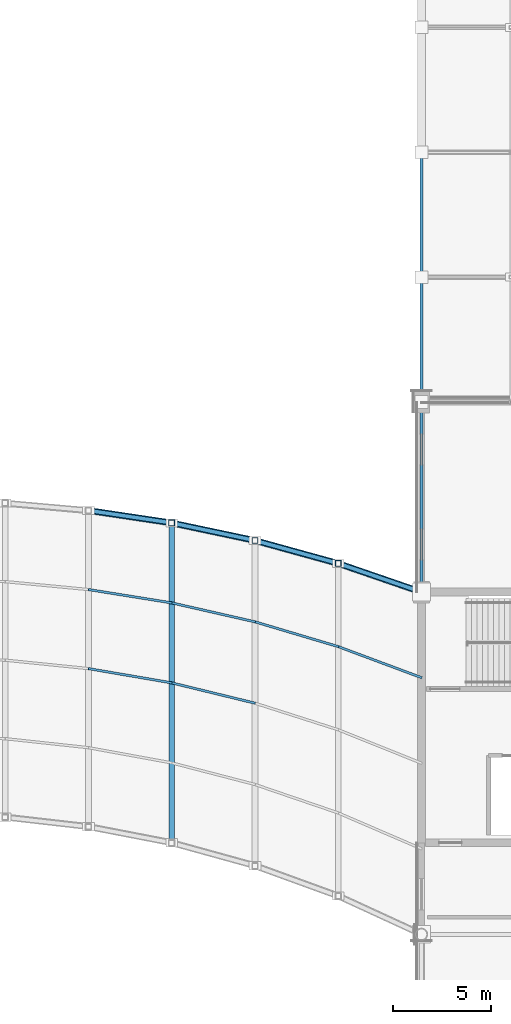
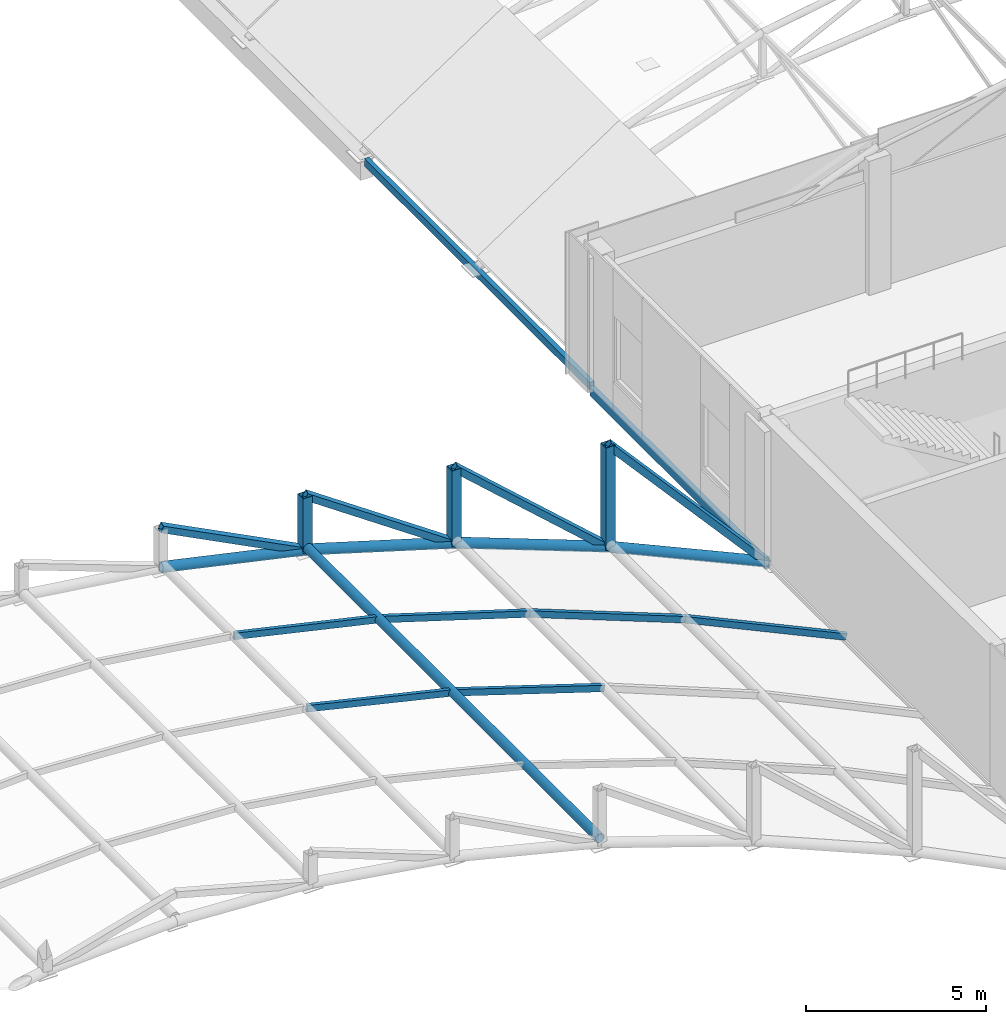
# One storey, part 34 of 101: 18 members, 2 beams.
"""IFC4 building model written with IfcOpenShell, lengths in metres."""

from ifc_helpers import new_model, si_unit, direction, frame, origin, origin_2d, place, context, subcontext, project, spatial, hollow_rectangle, hollow_circle, extrude, material, material_profile, profile_set, type_object, element, save


model = new_model("IFC4")

# Units and contexts
model_context = context("Model", 3, precision=1e-05, world=origin(), true_north=direction((0.0, 1.0)))
body_context = subcontext(model_context, "Body", "Model", "MODEL_VIEW")
ifc_project = project(units=[si_unit("LENGTHUNIT", "METRE"), si_unit("AREAUNIT", "SQUARE_METRE"), si_unit("VOLUMEUNIT", "CUBIC_METRE"), si_unit("PLANEANGLEUNIT", "RADIAN"), si_unit("MASSUNIT", "GRAM", prefix="KILO")], contexts=[model_context])

# Site, building, storey
site_placement = place(None, origin())
site = spatial("IfcSite", under=ifc_project, at=site_placement, CompositionType="ELEMENT")
building_placement = place(site_placement, origin())
building = spatial("IfcBuilding", under=site, at=building_placement, Name="Solvikara Media Centre", CompositionType="ELEMENT")
storey_placement = place(building_placement, frame((0.0, 0.0, 10.199951171875)))
storey = spatial("IfcBuildingStorey", under=building, at=storey_placement, Name="L02", CompositionType="ELEMENT", Elevation=10.199951171875)

# Beams
ifc_material = material(Name="Steel S355JR", Category="steel")
ifc_material_profile_1 = material_profile(ifc_material, hollow_rectangle(XDim=0.14990234375, YDim=0.300048828125, WallThickness=0.010009765625, at=origin_2d()), Name="RHS 300x150x10")
ifc_profile_set_1 = profile_set([ifc_material_profile_1], Name="Steel S355JR")
beam_type_1 = type_object("IfcBeamType", Name="BM-35", PredefinedType="BEAM", material=ifc_profile_set_1)
beam_1_placement = place(storey_placement, frame((127.5, 36.800048828125, -0.391845703125), z_axis=(0.0, 1.0, 0.0), x_axis=(-1.0, 0.0, 0.0)))
element("IfcBeam", 1, at=beam_1_placement, inside=storey, type_object=beam_type_1, Name="B-L02-Y0977", PredefinedType="BEAM", context=body_context, shape_type="SweptSolid", body=[
    extrude(hollow_rectangle(XDim=0.14990234375, YDim=0.300048828125, WallThickness=0.010009765625, at=origin_2d()), origin(), (0.0, 0.0, 1.0), 9.699951171875),
])
ifc_material_profile_2 = material_profile(ifc_material, hollow_rectangle(XDim=0.14990234375, YDim=0.25, WallThickness=0.008056640625, at=origin_2d()), Name="RHS 250x150x8")
ifc_profile_set_2 = profile_set([ifc_material_profile_2], Name="Steel S355JR")
beam_type_2 = type_object("IfcBeamType", Name="BM-36", PredefinedType="JOIST", material=ifc_profile_set_2)
beam_2_placement = place(storey_placement, frame((127.5, 46.5, -0.224853515625), z_axis=(0.0, 1.0, 0.0), x_axis=(-1.0, 0.0, 0.0)))
element("IfcBeam", 2, at=beam_2_placement, inside=storey, type_object=beam_type_2, Name="B-L02-Y0978", PredefinedType="JOIST", context=body_context, shape_type="SweptSolid", body=[
    extrude(hollow_rectangle(XDim=0.14990234375, YDim=0.25, WallThickness=0.008056640625, at=origin_2d()), origin(), (0.0, 0.0, 1.0), 12.5),
])

# Members
ifc_material_profile_3 = material_profile(ifc_material, hollow_circle(Radius=0.161865234375, WallThickness=0.012451171875, at=origin_2d()), Name="CHS 323.9x12.5")
ifc_profile_set_3 = profile_set([ifc_material_profile_3], Name="Steel S355JR")
member_type_1 = type_object("IfcMemberType", Name="MB-02", PredefinedType="CHORD", material=ifc_profile_set_3)
member_1_placement = place(storey_placement, frame((110.5, 40.964111328125, 2.944091796875), z_axis=(0.982232325207, -0.146759322028, -0.116967348929), x_axis=(0.147773675894, 0.989021203369, 0.0)))
element("IfcMember", 3, at=member_1_placement, inside=storey, type_object=member_type_1, Name="ARC-N-CH-08", PredefinedType="CHORD", context=body_context, shape_type="SweptSolid", body=[
    extrude(hollow_circle(Radius=0.161865234375, WallThickness=0.012451171875, at=origin_2d()), origin(), (0.0, 0.0, 1.0), 4.326904296875),
])
member_2_placement = place(storey_placement, frame((114.75, 40.3291015625, 2.43798828125), z_axis=(0.965577583547, -0.204064793765, -0.16129938034), x_axis=(0.206772369957, 0.978389077526, 0.0)))
element("IfcMember", 4, at=member_2_placement, inside=storey, type_object=member_type_1, Name="ARC-N-CH-09", PredefinedType="CHORD", context=body_context, shape_type="SweptSolid", body=[
    extrude(hollow_circle(Radius=0.161865234375, WallThickness=0.012451171875, at=origin_2d()), origin(), (0.0, 0.0, 1.0), 4.401611328125),
])
member_3_placement = place(storey_placement, frame((119.0, 39.430908203125, 1.72802734375), z_axis=(0.944042925109, -0.260089031987, -0.202821722191), x_axis=(0.265609545636, 0.964080686077, 0.0)))
element("IfcMember", 5, at=member_3_placement, inside=storey, type_object=member_type_1, Name="ARC-N-CH-10", PredefinedType="CHORD", context=body_context, shape_type="SweptSolid", body=[
    extrude(hollow_circle(Radius=0.161865234375, WallThickness=0.012451171875, at=origin_2d()), origin(), (0.0, 0.0, 1.0), 4.501953125),
])
member_4_placement = place(storey_placement, frame((123.25, 38.260009765625, 0.81494140625), z_axis=(0.917920374994, -0.3153242097, -0.240817000953), x_axis=(0.324885412119, 0.945753386984, 0.0)))
element("IfcMember", 6, at=member_4_placement, inside=storey, type_object=member_type_1, Name="ARC-N-CH-11", PredefinedType="CHORD", context=body_context, shape_type="SweptSolid", body=[
    extrude(hollow_circle(Radius=0.161865234375, WallThickness=0.012451171875, at=origin_2d()), origin(), (0.0, 0.0, 1.0), 4.630126953125),
])
ifc_material_profile_4 = material_profile(ifc_material, hollow_rectangle(XDim=0.300048828125, YDim=0.300048828125, WallThickness=0.012451171875, at=origin_2d()), Name="RHS 300x300x12.5")
ifc_profile_set_4 = profile_set([ifc_material_profile_4], Name="Steel S355JR")
member_type_2 = type_object("IfcMemberType", Name="MB-11", PredefinedType="CHORD", material=ifc_profile_set_4)
member_5_placement = place(storey_placement, frame((114.75, 40.3291015625, 2.43798828125), z_axis=(0.0, 0.0, 1.0), x_axis=(1.0, 0.0, 0.0)))
element("IfcMember", 7, at=member_5_placement, inside=storey, type_object=member_type_2, Name="ARC-N-VT-09", PredefinedType="CHORD", context=body_context, shape_type="SweptSolid", body=[
    extrude(hollow_rectangle(XDim=0.300048828125, YDim=0.300048828125, WallThickness=0.012451171875, at=origin_2d()), origin(), (0.0, 0.0, 1.0), 1.85205078125),
])
member_6_placement = place(storey_placement, frame((119.0, 39.430908203125, 1.72802734375), z_axis=(0.0, 0.0, 1.0), x_axis=(1.0, 0.0, 0.0)))
element("IfcMember", 8, at=member_6_placement, inside=storey, type_object=member_type_2, Name="ARC-N-VT-10", PredefinedType="CHORD", context=body_context, shape_type="SweptSolid", body=[
    extrude(hollow_rectangle(XDim=0.300048828125, YDim=0.300048828125, WallThickness=0.012451171875, at=origin_2d()), origin(), (0.0, 0.0, 1.0), 2.56201171875),
])
member_7_placement = place(storey_placement, frame((123.25, 38.260009765625, 0.81494140625), z_axis=(0.0, 0.0, 1.0), x_axis=(1.0, 0.0, 0.0)))
element("IfcMember", 9, at=member_7_placement, inside=storey, type_object=member_type_2, Name="ARC-N-VT-11", PredefinedType="CHORD", context=body_context, shape_type="SweptSolid", body=[
    extrude(hollow_rectangle(XDim=0.300048828125, YDim=0.300048828125, WallThickness=0.012451171875, at=origin_2d()), origin(), (0.0, 0.0, 1.0), 3.47509765625),
])
ifc_material_profile_5 = material_profile(ifc_material, hollow_rectangle(XDim=0.1201171875, YDim=0.219970703125, WallThickness=0.00634765625, at=origin_2d()), Name="RHS 220x120x6.3")
ifc_profile_set_5 = profile_set([ifc_material_profile_5], Name="Steel S355JR")
member_type_3 = type_object("IfcMemberType", Name="MB-16", PredefinedType="PURLIN", material=ifc_profile_set_5)
member_8_placement = place(storey_placement, frame((110.5, 32.89111328125, 3.083984375), z_axis=(0.978929651378, -0.167691189132, -0.116517821556), x_axis=(0.168841234137, 0.985643260848, 0.0)))
element("IfcMember", 10, at=member_8_placement, inside=storey, type_object=member_type_3, Name="ARC-PRL-08-50", PredefinedType="PURLIN", context=body_context, shape_type="SweptSolid", body=[
    extrude(hollow_rectangle(XDim=0.1201171875, YDim=0.219970703125, WallThickness=0.00634765625, at=origin_2d()), origin(), (0.0, 0.0, 1.0), 4.341552734375),
])
member_9_placement = place(storey_placement, frame((110.5, 36.927001953125, 3.083984375), z_axis=(0.98065821031, -0.157114875262, -0.116723564554), x_axis=(0.15819623475, 0.987407692552, 0.0)))
element("IfcMember", 11, at=member_9_placement, inside=storey, type_object=member_type_3, Name="ARC-PRL-08-75", PredefinedType="PURLIN", context=body_context, shape_type="SweptSolid", body=[
    extrude(hollow_rectangle(XDim=0.1201171875, YDim=0.219970703125, WallThickness=0.00634765625, at=origin_2d()), origin(), (0.0, 0.0, 1.0), 4.333740234375),
])
member_10_placement = place(storey_placement, frame((114.75, 32.1630859375, 2.578125), z_axis=(0.95899624945, -0.233799407322, -0.160199970899), x_axis=(0.236858534628, 0.971544149575, 0.0)))
element("IfcMember", 12, at=member_10_placement, inside=storey, type_object=member_type_3, Name="ARC-PRL-09-50", PredefinedType="PURLIN", context=body_context, shape_type="SweptSolid", body=[
    extrude(hollow_rectangle(XDim=0.1201171875, YDim=0.219970703125, WallThickness=0.00634765625, at=origin_2d()), origin(), (0.0, 0.0, 1.0), 4.431640625),
])
member_11_placement = place(storey_placement, frame((114.75, 36.24609375, 2.578125), z_axis=(0.962393212167, -0.218982049253, -0.160767432272), x_axis=(0.221868038489, 0.975076701341, 0.0)))
element("IfcMember", 13, at=member_11_placement, inside=storey, type_object=member_type_3, Name="ARC-PRL-09-75", PredefinedType="PURLIN", context=body_context, shape_type="SweptSolid", body=[
    extrude(hollow_rectangle(XDim=0.1201171875, YDim=0.219970703125, WallThickness=0.00634765625, at=origin_2d()), origin(), (0.0, 0.0, 1.0), 4.416015625),
])
member_12_placement = place(storey_placement, frame((119.0, 35.279052734375, 1.8681640625), z_axis=(0.93879788209, -0.279244912308, -0.20169485748), x_axis=(0.285104258632, 0.958496511058, 0.0)))
element("IfcMember", 14, at=member_12_placement, inside=storey, type_object=member_type_3, Name="ARC-PRL-10-75", PredefinedType="PURLIN", context=body_context, shape_type="SweptSolid", body=[
    extrude(hollow_rectangle(XDim=0.1201171875, YDim=0.219970703125, WallThickness=0.00634765625, at=origin_2d()), origin(), (0.0, 0.0, 1.0), 4.527099609375),
])
member_13_placement = place(storey_placement, frame((123.25, 34.014892578125, 0.955078125), z_axis=(0.90994304699, -0.33913778084, -0.238724143819), x_axis=(0.349235066585, 0.937035147829, 0.0)))
element("IfcMember", 15, at=member_13_placement, inside=storey, type_object=member_type_3, Name="ARC-PRL-11-75", PredefinedType="PURLIN", context=body_context, shape_type="SweptSolid", body=[
    extrude(hollow_rectangle(XDim=0.1201171875, YDim=0.219970703125, WallThickness=0.00634765625, at=origin_2d()), origin(), (0.0, 0.0, 1.0), 4.670654296875),
])
ifc_material_profile_6 = material_profile(ifc_material, hollow_circle(Radius=0.149169921875, WallThickness=0.010009765625, at=origin_2d()), Name="CHS 298.5x10")
ifc_profile_set_6 = profile_set([ifc_material_profile_6], Name="Steel S355JR")
member_type_4 = type_object("IfcMemberType", Name="MB-28", PredefinedType="CHORD", material=ifc_profile_set_6)
member_14_placement = place(storey_placement, frame((114.75, 23.99609375, 2.578125), z_axis=(0.0, 1.0, 0.0), x_axis=(-1.0, 0.0, 0.0)))
element("IfcMember", 16, at=member_14_placement, inside=storey, type_object=member_type_4, Name="ARC-RIB-09", PredefinedType="CHORD", context=body_context, shape_type="SweptSolid", body=[
    extrude(hollow_circle(Radius=0.149169921875, WallThickness=0.010009765625, at=origin_2d()), origin(), (0.0, 0.0, 1.0), 16.3330078125),
])
ifc_material_profile_7 = material_profile(ifc_material, hollow_rectangle(XDim=0.219970703125, YDim=0.219970703125, WallThickness=0.010009765625, at=origin_2d()), Name="RHS 220x220x10")
ifc_profile_set_7 = profile_set([ifc_material_profile_7], Name="Steel S355JR")
member_type_5 = type_object("IfcMemberType", Name="MB-30", PredefinedType="BRACE", material=ifc_profile_set_7)
member_15_placement = place(storey_placement, frame((110.5, 40.964111328125, 4.2900390625), z_axis=(0.908255902188, -0.135706204135, -0.395796718405), x_axis=(0.147773675894, 0.989021203369, 0.0)))
element("IfcMember", 17, at=member_15_placement, inside=storey, type_object=member_type_5, Name="ARC-N-DG-08", PredefinedType="BRACE", context=body_context, shape_type="SweptSolid", body=[
    extrude(hollow_rectangle(XDim=0.219970703125, YDim=0.219970703125, WallThickness=0.010009765625, at=origin_2d()), origin(), (0.0, 0.0, 1.0), 4.67919921875),
])
member_16_placement = place(storey_placement, frame((114.75, 40.3291015625, 4.2900390625), z_axis=(0.842730685966, -0.178102377853, -0.508020210163), x_axis=(0.206772369957, 0.978389077526, 0.0)))
element("IfcMember", 18, at=member_16_placement, inside=storey, type_object=member_type_5, Name="ARC-N-DG-09", PredefinedType="BRACE", context=body_context, shape_type="SweptSolid", body=[
    extrude(hollow_rectangle(XDim=0.219970703125, YDim=0.219970703125, WallThickness=0.010009765625, at=origin_2d()), origin(), (0.0, 0.0, 1.0), 5.043212890625),
])
member_17_placement = place(storey_placement, frame((119.0, 39.430908203125, 4.2900390625), z_axis=(0.757122337425, -0.208591379268, -0.619076249478), x_axis=(0.265609545636, 0.964080686077, 0.0)))
element("IfcMember", 19, at=member_17_placement, inside=storey, type_object=member_type_5, Name="ARC-N-DG-10", PredefinedType="BRACE", context=body_context, shape_type="SweptSolid", body=[
    extrude(hollow_rectangle(XDim=0.219970703125, YDim=0.219970703125, WallThickness=0.010009765625, at=origin_2d()), origin(), (0.0, 0.0, 1.0), 5.61328125),
])
member_18_placement = place(storey_placement, frame((123.25, 38.260009765625, 4.2900390625), z_axis=(0.661620715075, -0.227280093988, -0.714564054694), x_axis=(0.324885412119, 0.945753386984, 0.0)))
element("IfcMember", 20, at=member_18_placement, inside=storey, type_object=member_type_5, Name="ARC-N-DG-11", PredefinedType="BRACE", context=body_context, shape_type="SweptSolid", body=[
    extrude(hollow_rectangle(XDim=0.219970703125, YDim=0.219970703125, WallThickness=0.010009765625, at=origin_2d()), origin(), (0.0, 0.0, 1.0), 6.423583984375),
])

save(model, "model.ifc")
